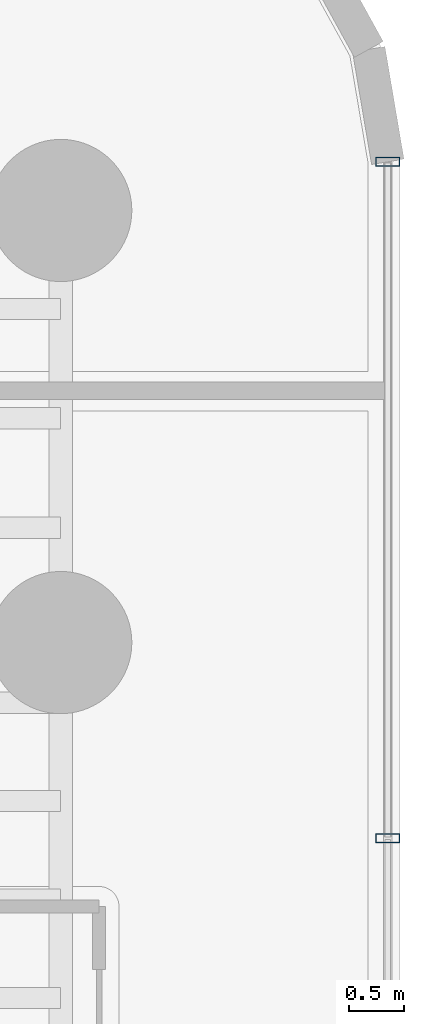
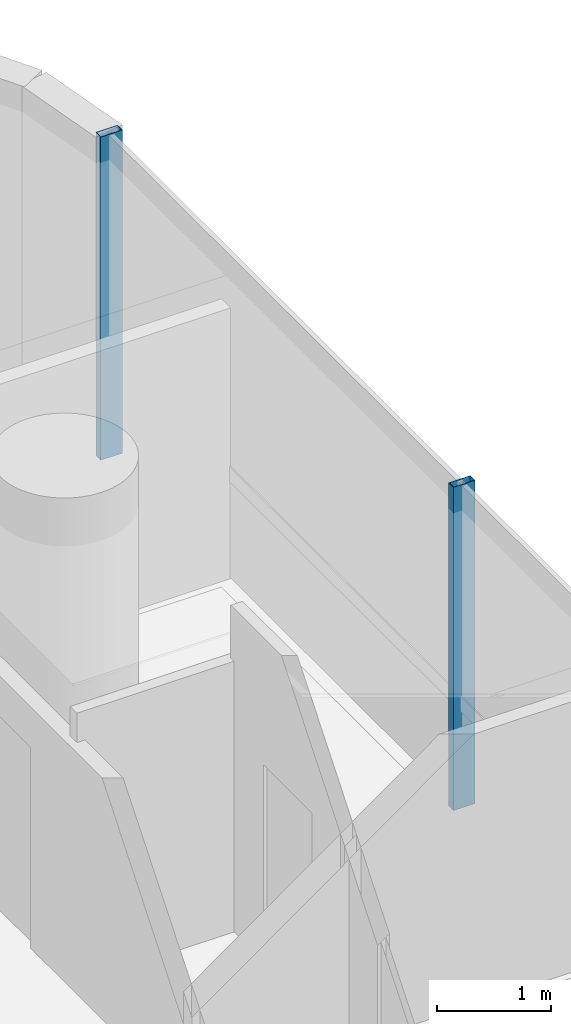
# One storey, part 26 of 39: 2 members, 1 element without a shape of its own.
"""IFC4 building model written with IfcOpenShell, lengths in metres."""

from ifc_helpers import new_model, si_unit, direction, frame, origin, origin_2d, place, context, subcontext, project, spatial, hollow_rectangle, extrude, source, transform, mapped, material, material_profile, profile_set, type_object, element, aggregate, save


model = new_model("IFC4")

# Units and contexts
model_context = context("Model", 3, precision=1e-05, world=origin(), true_north=direction((0.0, 1.0)))
body_context = subcontext(model_context, "Body", "Model", "MODEL_VIEW")
ifc_project = project(units=[si_unit("LENGTHUNIT", "METRE"), si_unit("AREAUNIT", "SQUARE_METRE"), si_unit("VOLUMEUNIT", "CUBIC_METRE"), si_unit("PLANEANGLEUNIT", "RADIAN"), si_unit("MASSUNIT", "GRAM", prefix="KILO")], contexts=[model_context])

# Site, building, storey
site_placement = place(None, origin())
site = spatial("IfcSite", under=ifc_project, at=site_placement, CompositionType="ELEMENT")
building_placement = place(site_placement, origin())
building = spatial("IfcBuilding", under=site, at=building_placement, Name="Valdorenza Pilgrim Sanctuary Tower", CompositionType="ELEMENT")
storey_placement = place(building_placement, frame((0.0, 0.0, 74.10009765625)))
storey = spatial("IfcBuildingStorey", under=building, at=storey_placement, Name="L18", CompositionType="ELEMENT", Elevation=74.10009765625)

# Curtain wall, members
ifc_material_1 = material(Name="Curtain-wall IGU glazing", Category="glass")
curtain_wall_type = type_object("IfcCurtainWallType", Name="CW-SYS-03", PredefinedType="NOTDEFINED", material=ifc_material_1)
curtain_wall_placement = place(storey_placement, origin())
curtain_wall = element("IfcCurtainWall", 1, at=curtain_wall_placement, inside=storey, type_object=curtain_wall_type, Name="L18 Curtain Wall CW-L18-1-21", PredefinedType="NOTDEFINED")
ifc_material_2 = material(Name="Anodised aluminium AW-6060", Category="aluminium")
ifc_material_profile = material_profile(ifc_material_2, hollow_rectangle(XDim=0.0849609375, YDim=0.219970703125, WallThickness=0.0048828125, at=origin_2d()), Name="ALU-M 220x85x5")
ifc_profile_set = profile_set([ifc_material_profile], Name="Anodised aluminium AW-6060")
member_type = type_object("IfcMemberType", Name="CW-MUL-03", PredefinedType="MULLION", material=ifc_profile_set)
shared_shape = source(origin(), body_context, "Body", "SweptSolid", [
    extrude(hollow_rectangle(XDim=0.0849609375, YDim=0.219970703125, WallThickness=0.0048828125, at=origin_2d()), origin(), (0.0, 0.0, 1.0), 3.4599609375),
])
member_1_placement = place(storey_placement, frame((31.389892578125, 13.945068359375, 0.0), z_axis=(0.0, 0.0, 1.0), x_axis=(0.0, -1.0, 0.0)))
member_1 = element("IfcMember", 2, at=member_1_placement, type_object=member_type, Name="CW-L18-1-21 Mullion 1", PredefinedType="MULLION", context=body_context, shape_type="MappedRepresentation", body=[
    mapped(shared_shape, transform((0.0, 0.0, 0.0), x_axis=(1.0, 0.0, 0.0), y_axis=(0.0, 1.0, 0.0), z_axis=(0.0, 0.0, 1.0), scale=1.0)),
])
member_2_placement = place(storey_placement, frame((31.389892578125, 7.761474609375, 0.0), z_axis=(0.0, 0.0, 1.0), x_axis=(0.0, -1.0, 0.0)))
member_2 = element("IfcMember", 3, at=member_2_placement, type_object=member_type, Name="CW-L18-1-21 Mullion 2", PredefinedType="MULLION", context=body_context, shape_type="MappedRepresentation", body=[
    mapped(shared_shape, transform((0.0, 0.0, 0.0), x_axis=(1.0, 0.0, 0.0), y_axis=(0.0, 1.0, 0.0), z_axis=(0.0, 0.0, 1.0), scale=1.0)),
])
aggregate(curtain_wall, [member_1, member_2])

save(model, "model.ifc")
